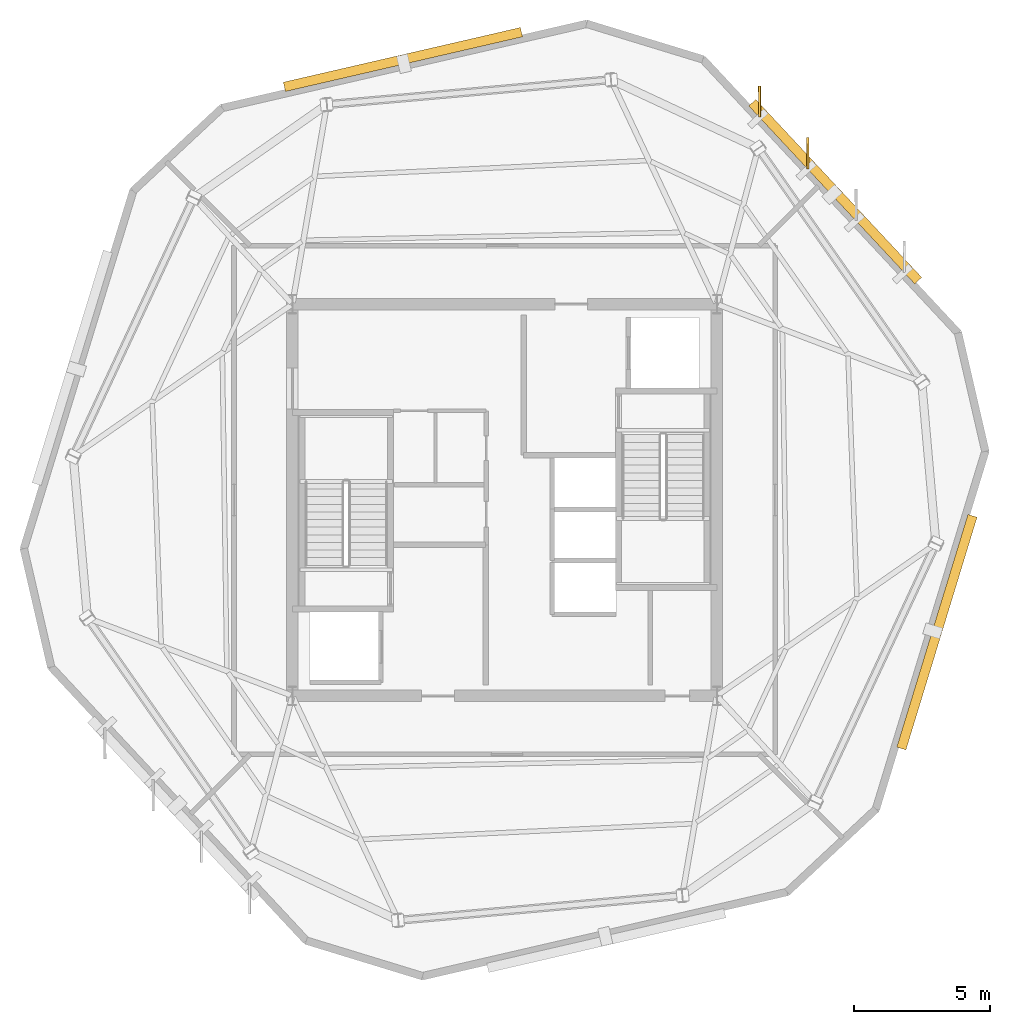
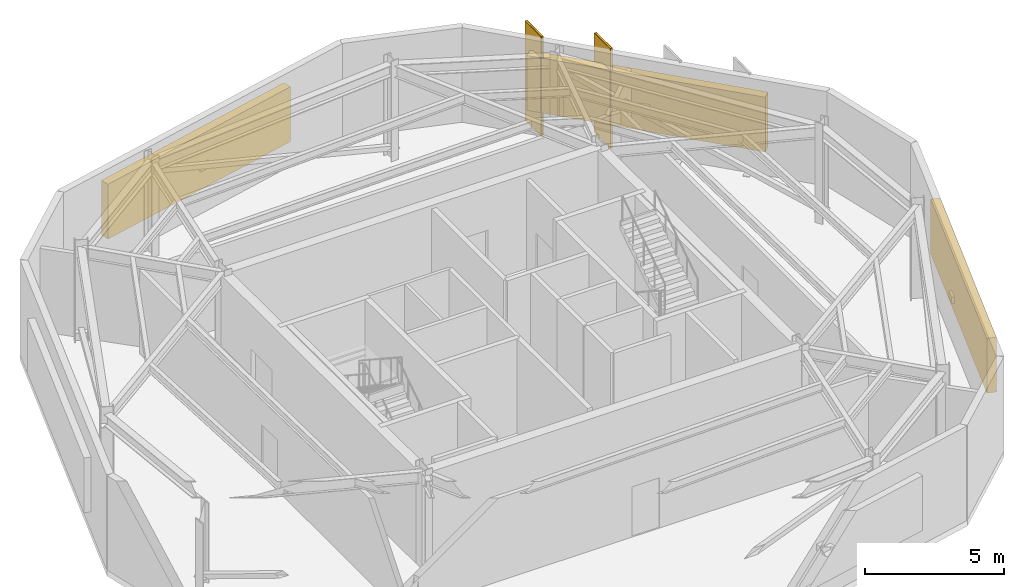
# One storey, part 7 of 7: 5 shading devices, 2 coverings.
"""IFC4 building model written with IfcOpenShell, lengths in metres."""

import ifcopenshell
import ifcopenshell.guid

model = None  # the IFC model being written
_history = None  # IfcOwnerHistory: only IFC2X3 demands one
_inside = {}  # id of a spatial element -> (the spatial element, [elements in it])
_under = {}  # id of a project, library or spatial element -> (it, [spatial elements below it])
_declared = {}  # id of a project -> (the project, [libraries it declares])
_typed = {}  # id of a type object -> (the type object, [elements of that type])
_made_of = {}  # id of a material, layer set ... -> (it, [elements and type objects made of it])


def new_model(schema):
    """Start an empty IFC model of exactly this schema.

    Asked for "IFC4X3", IfcOpenShell would pick the latest addendum, in which some entities
    have other attributes; the version numbers below select the first issue.
    IFC2X3 requires an IfcOwnerHistory on every rooted entity: one is made here for all.
    """
    global model, _history
    if schema == "IFC4X3":
        model = ifcopenshell.file(schema_version=(4, 3, 0, 0))
    else:
        model = ifcopenshell.file(schema=schema)
    _inside.clear()
    _under.clear()
    _declared.clear()
    _typed.clear()
    _made_of.clear()
    _history = None
    if model.schema == "IFC2X3":
        org = make("IfcOrganization", Name="unknown")
        user = make(
            "IfcPersonAndOrganization",
            ThePerson=make("IfcPerson", FamilyName="unknown"),
            TheOrganization=org,
        )
        app = make(
            "IfcApplication",
            ApplicationDeveloper=org,
            Version="unknown",
            ApplicationFullName="unknown",
            ApplicationIdentifier="unknown",
        )
        _history = make(
            "IfcOwnerHistory",
            OwningUser=user,
            OwningApplication=app,
            ChangeAction="ADDED",
            CreationDate=0,
        )
    return model


def make(cls, **values):
    """One entity of the class cls with the attributes given. An attribute that is None is left unset."""
    return model.create_entity(
        cls, **{name: value for name, value in values.items() if value is not None}
    )


def rooted(cls, **values):
    """An entity with a GlobalId (a new one), such as an element, a storey or a relation."""
    return make(cls, GlobalId=ifcopenshell.guid.new(), OwnerHistory=_history, **values)


def si_unit(unit_type, name, prefix=None):
    """IfcSIUnit, for example si_unit("LENGTHUNIT", "METRE", prefix="MILLI")."""
    return make("IfcSIUnit", UnitType=unit_type, Prefix=prefix, Name=name)


def assignment(units):
    """IfcUnitAssignment: the units of a project."""
    return None if units is None else make("IfcUnitAssignment", Units=units)


def point(xyz):
    """IfcCartesianPoint."""
    return None if xyz is None else make("IfcCartesianPoint", Coordinates=xyz)


def direction(xyz):
    """IfcDirection."""
    return None if xyz is None else make("IfcDirection", DirectionRatios=xyz)


def frame(location, z_axis=None, x_axis=None):
    """IfcAxis2Placement3D, a coordinate frame: its origin and axes. An axis left out is left unset."""
    return make(
        "IfcAxis2Placement3D",
        Location=point(location),
        Axis=direction(z_axis),
        RefDirection=direction(x_axis),
    )


def frame_2d(location, x_axis=None):
    """IfcAxis2Placement2D, a coordinate frame in the plane: its origin and x axis."""
    return make(
        "IfcAxis2Placement2D", Location=point(location), RefDirection=direction(x_axis)
    )


def origin():
    """The frame at (0, 0, 0) with its axes left unset."""
    return frame((0.0, 0.0, 0.0))


def origin_2d():
    """The frame at (0, 0) in the plane with its x axis left unset."""
    return frame_2d((0.0, 0.0))


def place(relative_to, where):
    """IfcLocalPlacement: puts the frame where relative to a parent placement (None: the world)."""
    return make(
        "IfcLocalPlacement", PlacementRelTo=relative_to, RelativePlacement=where
    )


def context(
    kind, dimensions, precision=None, world=None, true_north=None, identifier=None
):
    """IfcGeometricRepresentationContext, for example the 3D "Model" context."""
    return make(
        "IfcGeometricRepresentationContext",
        ContextIdentifier=identifier,
        ContextType=kind,
        CoordinateSpaceDimension=dimensions,
        Precision=precision,
        WorldCoordinateSystem=world,
        TrueNorth=true_north,
    )


def subcontext(parent, identifier, kind, view, scale=None):
    """IfcGeometricRepresentationSubContext, for example "Body" below "Model"."""
    return make(
        "IfcGeometricRepresentationSubContext",
        ContextIdentifier=identifier,
        ContextType=kind,
        ParentContext=parent,
        TargetScale=scale,
        TargetView=view,
    )


def project(units=None, contexts=None):
    """IfcProject with its units and contexts."""
    return rooted(
        "IfcProject",
        Name="project",
        RepresentationContexts=contexts,
        UnitsInContext=assignment(units),
    )


def spatial(cls, under=None, at=None, **own):
    """A site, building, storey or space (cls), placed at a placement, below another one or the project."""
    s = rooted(cls, ObjectPlacement=at, **own)
    if under is not None:
        _under.setdefault(under.id(), (under, []))[1].append(s)
    return s


def profile(cls, at=None, kind="AREA", **sizes):
    """A parametric profile (cls). Its sizes go by their IFC names, for example OverallWidth=200.0."""
    return make(cls, ProfileType=kind, Position=at, **sizes)


def rectangle(**sizes):
    """IfcRectangleProfileDef."""
    return profile("IfcRectangleProfileDef", **sizes)


def extrude(swept, where, along, depth):
    """IfcExtrudedAreaSolid: the profile swept, set in the frame where, extruded along a direction by depth."""
    return make(
        "IfcExtrudedAreaSolid",
        SweptArea=swept,
        Position=where,
        ExtrudedDirection=direction(along),
        Depth=depth,
    )


def shape(context_of_items, identifier, shape_type, items):
    """IfcShapeRepresentation: the items that make up one representation, for example the "Body"."""
    return make(
        "IfcShapeRepresentation",
        ContextOfItems=context_of_items,
        RepresentationIdentifier=identifier,
        RepresentationType=shape_type,
        Items=items,
    )


def material(Name=None, Category=None):
    """IfcMaterial."""
    return make("IfcMaterial", Name=Name, Category=Category)


def layer(
    of_material, thickness, ventilated=None, Name=None, Category=None, Priority=None
):
    """IfcMaterialLayer: one layer of a wall or slab, of a material (None: an air gap)."""
    return make(
        "IfcMaterialLayer",
        Material=of_material,
        LayerThickness=thickness,
        IsVentilated=ventilated,
        Name=Name,
        Category=Category,
        Priority=Priority,
    )


def layer_set(layers, Name=None):
    """IfcMaterialLayerSet."""
    return make("IfcMaterialLayerSet", MaterialLayers=layers, LayerSetName=Name)


def made_of(thing, what):
    """Note that an element or type object is made of a material, layer set ...; save() writes the relation."""
    if what is not None:
        _made_of.setdefault(what.id(), (what, []))[1].append(thing)
    return thing


def type_object(cls, material=None, **own):
    """A type object (cls), such as IfcWallType, which elements share."""
    return made_of(rooted(cls, **own), material)


def element(
    cls,
    number,
    at=None,
    inside=None,
    cuts=None,
    type_object=None,
    material=None,
    context=None,
    identifier="Body",
    shape_type=None,
    held_by="IfcProductDefinitionShape",
    body=None,
    shapes=None,
    **own,
):
    """One element of the class cls, such as IfcWall. Its Tag is "e" and its number.

    at: its placement. inside: the storey or other place that contains it. cuts: it is an
    opening in that element (IfcRelVoidsElement). A single representation is given by context,
    identifier, shape_type and body (its items); several are given by shapes. held_by: the class
    of the entity that holds the representations. save() writes the other relations.
    """
    e = rooted(cls, Tag="e%d" % number, ObjectPlacement=at, **own)
    if body is not None:
        shapes = [shape(context, identifier, shape_type, body)]
    if shapes is not None:
        e.Representation = make(held_by, Representations=shapes)
    if inside is not None:
        _inside.setdefault(inside.id(), (inside, []))[1].append(e)
    if cuts is not None:
        rooted(
            "IfcRelVoidsElement", RelatingBuildingElement=cuts, RelatedOpeningElement=e
        )
    if type_object is not None:
        _typed.setdefault(type_object.id(), (type_object, []))[1].append(e)
    return made_of(e, material)


def aggregate(whole, parts):
    """IfcRelAggregates: a whole, such as a stair, and the parts it consists of."""
    return rooted("IfcRelAggregates", RelatingObject=whole, RelatedObjects=parts)


def save(model, path):
    """Write the relations noted so far, then the file.

    IfcRelAggregates (storeys below a building ...), IfcRelContainedInSpatialStructure (elements
    in a storey), IfcRelDefinesByType, IfcRelAssociatesMaterial and IfcRelDeclares: one each for
    every whole, place, type object, material and project.
    """
    for whole, parts in _under.values():
        aggregate(whole, parts)
    for where, things in _inside.values():
        rooted(
            "IfcRelContainedInSpatialStructure",
            RelatedElements=things,
            RelatingStructure=where,
        )
    for kind, things in _typed.values():
        rooted("IfcRelDefinesByType", RelatedObjects=things, RelatingType=kind)
    for what, things in _made_of.values():
        rooted("IfcRelAssociatesMaterial", RelatedObjects=things, RelatingMaterial=what)
    for by, libraries in _declared.values():
        rooted("IfcRelDeclares", RelatingContext=by, RelatedDefinitions=libraries)
    model.write(path)


model = new_model("IFC4")

# Units and contexts
model_context = context("Model", 3, precision=1e-05, world=origin(), true_north=direction((0.0, 1.0)))
body_context = subcontext(model_context, "Body", "Model", "MODEL_VIEW")
ifc_project = project(units=[si_unit("LENGTHUNIT", "METRE"), si_unit("AREAUNIT", "SQUARE_METRE"), si_unit("VOLUMEUNIT", "CUBIC_METRE"), si_unit("PLANEANGLEUNIT", "RADIAN"), si_unit("MASSUNIT", "GRAM", prefix="KILO")], contexts=[model_context])

# Site, building, storey
site_placement = place(None, origin())
site = spatial("IfcSite", under=ifc_project, at=site_placement, CompositionType="ELEMENT")
building_placement = place(site_placement, origin())
building = spatial("IfcBuilding", under=site, at=building_placement, Name="Kranzbogen Civic Tower", CompositionType="ELEMENT")
storey_placement = place(building_placement, frame((0.0, 0.0, 318.199951171875)))
storey = spatial("IfcBuildingStorey", under=building, at=storey_placement, Name="L77", CompositionType="ELEMENT", Elevation=318.199951171875)

# Coverings
ifc_material = material(Name="Pale Anodised Aluminium", Category="aluminium")
ifc_layer = layer(ifc_material, 0.02490234375, Name="Pale Anodised Aluminium")
ifc_layer_set = layer_set([ifc_layer], Name="Pale Anodised Aluminium")
covering_type = type_object("IfcCoveringType", Name="Anodised Aluminium Vertical Fin Cladding 25 mm", PredefinedType="CLADDING", material=ifc_layer_set)
for number, where, z_axis, x_axis, name in (
    (1, (36.14697265625, 37.75, -0.14013671875), (0.0, 0.0, 1.0), (-0.005968990597, 0.999982185417, 0.0), "L77 vertical fin pale-metal cladding F6-3"),
    (2, (34.3740234375, 39.652099609375, -0.14013671875), (0.0, 0.0, 1.0), (-0.005968990597, 0.999982185417, 0.0), "L77 vertical fin pale-metal cladding F6-4"),
):
    element("IfcCovering", number, at=place(storey_placement, frame(where, z_axis=z_axis, x_axis=x_axis)), inside=storey, type_object=covering_type, Name=name, PredefinedType="CLADDING", context=body_context, shape_type="SweptSolid", body=[
        extrude(rectangle(XDim=1.14990234375, YDim=0.094970703125, at=origin_2d()), origin(), (0.0, 0.0, 1.0), 4.360107421875),
    ])

# Shading devices
shading_device_type_1 = type_object("IfcShadingDeviceType", Name="Pale Anodised Aluminium Crown Fin 1150x75", PredefinedType="USERDEFINED", material=ifc_material)
for number, where, z_axis, x_axis, name in (
    (3, (36.14697265625, 37.75, -0.14013671875), (0.0, 0.0, 1.0), (-0.005968990597, 0.999982185417, 0.0), "L77 vertical exterior shading fin F6-3"),
    (4, (34.3740234375, 39.652099609375, -0.14013671875), (0.0, 0.0, 1.0), (-0.005968990597, 0.999982185417, 0.0), "L77 vertical exterior shading fin F6-4"),
):
    element("IfcShadingDevice", number, at=place(storey_placement, frame(where, z_axis=z_axis, x_axis=x_axis)), inside=storey, type_object=shading_device_type_1, Name=name, ObjectType="FIN", PredefinedType="USERDEFINED", context=body_context, shape_type="SweptSolid", body=[
        extrude(rectangle(XDim=1.14990234375, YDim=0.074951171875, at=origin_2d()), origin(), (0.0, 0.0, 1.0), 4.360107421875),
    ])
shading_device_type_2 = type_object("IfcShadingDeviceType", Name="Plant Band Acoustic Weather Louvre Module", PredefinedType="USERDEFINED", material=ifc_material)
shading_device_1_placement = place(storey_placement, frame((21.261962890625, 41.193115234375, 0.8701171875), z_axis=(0.0, 0.0, 1.0), x_axis=(-0.9743661385, -0.224968060275, 0.0)))
element("IfcShadingDevice", 5, at=shading_device_1_placement, inside=storey, type_object=shading_device_type_2, Name="L77 acoustic intake louvre 1", ObjectType="LOUVRE", PredefinedType="USERDEFINED", context=body_context, shape_type="SweptSolid", body=[
    extrude(rectangle(XDim=8.9423828125, YDim=0.35009765625, at=origin_2d()), origin(), (0.0, 0.0, 1.0), 2.39990234375),
])
shading_device_2_placement = place(storey_placement, frame((40.89306640625, 20.14111328125, 0.8701171875), z_axis=(0.0, 0.0, 1.0), x_axis=(0.292405085878, 0.956294549683, 0.0)))
element("IfcShadingDevice", 6, at=shading_device_2_placement, inside=storey, type_object=shading_device_type_2, Name="L77 acoustic intake louvre 5", ObjectType="LOUVRE", PredefinedType="USERDEFINED", context=body_context, shape_type="SweptSolid", body=[
    extrude(rectangle(XDim=8.94287109375, YDim=0.35009765625, at=origin_2d()), origin(), (0.0, 0.0, 1.0), 2.39990234375),
])
shading_device_3_placement = place(storey_placement, frame((37.155029296875, 36.333984375, 0.8701171875), z_axis=(0.0, 0.0, 1.0), x_axis=(-0.682036652718, 0.731317991266, 0.0)))
element("IfcShadingDevice", 7, at=shading_device_3_placement, inside=storey, type_object=shading_device_type_2, Name="L77 acoustic intake louvre 6", ObjectType="LOUVRE", PredefinedType="USERDEFINED", context=body_context, shape_type="SweptSolid", body=[
    extrude(rectangle(XDim=8.9423828125, YDim=0.35009765625, at=origin_2d()), origin(), (0.0, 0.0, 1.0), 2.39990234375),
])

save(model, "model.ifc")
